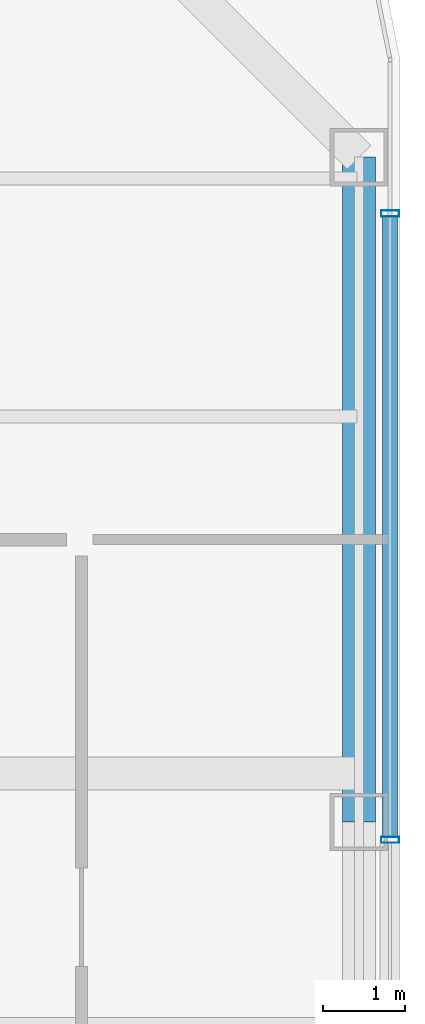
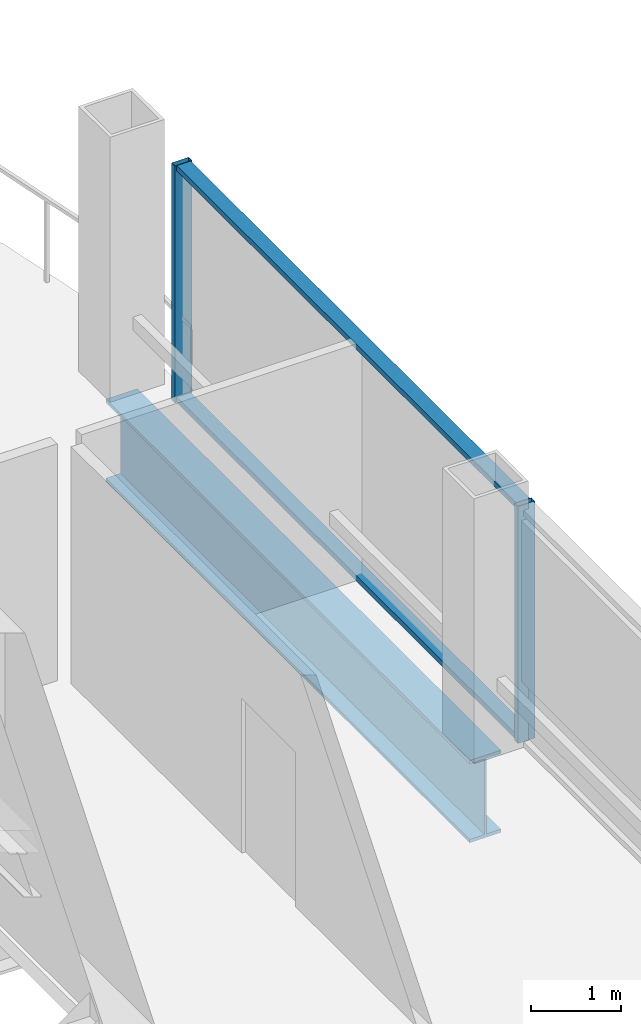
# One storey, part 10 of 19: 4 members, 1 beam, 1 element without a shape of its own.
"""IFC4 building model written with IfcOpenShell, lengths in metres."""

from ifc_helpers import new_model, si_unit, direction, frame, origin, origin_2d, place, context, subcontext, project, spatial, hollow_rectangle, i_section, extrude, material, layer, layer_set, material_profile, profile_set, type_object, element, aggregate, save


model = new_model("IFC4")

# Units and contexts
model_context = context("Model", 3, precision=1e-05, world=origin(), true_north=direction((0.0, 1.0)))
body_context = subcontext(model_context, "Body", "Model", "MODEL_VIEW")
ifc_project = project(units=[si_unit("LENGTHUNIT", "METRE"), si_unit("AREAUNIT", "SQUARE_METRE"), si_unit("VOLUMEUNIT", "CUBIC_METRE"), si_unit("PLANEANGLEUNIT", "RADIAN"), si_unit("MASSUNIT", "GRAM", prefix="KILO")], contexts=[model_context])

# Site, building, storey
site_placement = place(None, origin())
site = spatial("IfcSite", under=ifc_project, at=site_placement, CompositionType="ELEMENT")
building_placement = place(site_placement, origin())
building = spatial("IfcBuilding", under=site, at=building_placement, Name="Qhalaya Broadcast Tower", CompositionType="ELEMENT")
storey_placement = place(building_placement, frame((0.0, 0.0, 148.199951171875)))
storey = spatial("IfcBuildingStorey", under=building, at=storey_placement, Name="L43", CompositionType="ELEMENT", Elevation=148.199951171875)

# Beam
ifc_material_1 = material(Name="Structural Steel ASTM A992 Grade 50", Category="steel")
ifc_material_profile_1 = material_profile(ifc_material_1, i_section(OverallWidth=0.404052734375, OverallDepth=1.117919921875, WebThickness=0.026123046875, FlangeThickness=0.044921875, at=origin_2d()), Name="W44X335")
ifc_profile_set_1 = profile_set([ifc_material_profile_1], Name="Structural Steel ASTM A992 Grade 50")
beam_type = type_object("IfcBeamType", Name="Podium Long-Span Primary Girder PG1", PredefinedType="USERDEFINED", material=ifc_profile_set_1)
beam_placement = place(storey_placement, frame((15.580078125, 9.360107421875, -0.779052734375), z_axis=(0.0, 1.0, 0.0), x_axis=(-1.0, 0.0, 0.0)))
element("IfcBeam", 1, at=beam_placement, inside=storey, type_object=beam_type, Name="L43 PG1 L43-SPR-07", ObjectType="GIRDER", PredefinedType="USERDEFINED", context=body_context, shape_type="SweptSolid", body=[
    extrude(i_section(OverallWidth=0.404052734375, OverallDepth=1.117919921875, WebThickness=0.026123046875, FlangeThickness=0.044921875, at=origin_2d()), origin(), (0.0, 0.0, 1.0), 8.099853515625),
])

# Curtain wall, members
ifc_material_2 = material(Name="Solar-Control Low-E Triple Glazing", Category="glass")
ifc_layer = layer(ifc_material_2, 0.219970703125, Name="Solar-Control Low-E Triple Glazing")
ifc_layer_set = layer_set([ifc_layer], Name="Solar-Control Low-E Triple Glazing")
curtain_wall_type = type_object("IfcCurtainWallType", Name="Recessed Sky-Garden Neck Ribbon Curtain Wall CW-05", PredefinedType="NOTDEFINED", material=ifc_layer_set)
curtain_wall_placement = place(storey_placement, origin())
curtain_wall = element("IfcCurtainWall", 2, at=curtain_wall_placement, inside=storey, type_object=curtain_wall_type, Name="L43 Unitised Curtain Wall L43-CW-E", PredefinedType="NOTDEFINED")
ifc_material_3 = material(Name="Anodised Aluminium 6063-T6", Category="aluminium")
ifc_material_profile_2 = material_profile(ifc_material_3, hollow_rectangle(XDim=0.074951171875, YDim=0.219970703125, WallThickness=0.00390625, at=origin_2d()), Name="ALU-MUL 75x220x4")
ifc_profile_set_2 = profile_set([ifc_material_profile_2], Name="Anodised Aluminium 6063-T6")
member_type_1 = type_object("IfcMemberType", Name="Unitised Curtain-Wall Mullion M01", PredefinedType="MULLION", material=ifc_profile_set_2)
member_1_placement = place(storey_placement, frame((15.9599609375, 9.143310546875, 0.0), z_axis=(0.0, 0.0, 1.0), x_axis=(0.0, 1.0, 0.0)))
member_1 = element("IfcMember", 3, at=member_1_placement, type_object=member_type_1, Name="CW-05 mullion 3", PredefinedType="MULLION", context=body_context, shape_type="SweptSolid", body=[
    extrude(hollow_rectangle(XDim=0.074951171875, YDim=0.219970703125, WallThickness=0.00390625, at=origin_2d()), origin(), (0.0, 0.0, 1.0), 3.219970703125),
])
member_2_placement = place(storey_placement, frame((15.9599609375, 16.7724609375, 0.0), z_axis=(0.0, 0.0, 1.0), x_axis=(0.0, 1.0, 0.0)))
member_2 = element("IfcMember", 4, at=member_2_placement, type_object=member_type_1, Name="CW-05 mullion 4", PredefinedType="MULLION", context=body_context, shape_type="SweptSolid", body=[
    extrude(hollow_rectangle(XDim=0.074951171875, YDim=0.219970703125, WallThickness=0.00390625, at=origin_2d()), origin(), (0.0, 0.0, 1.0), 3.219970703125),
])
ifc_material_profile_3 = material_profile(ifc_material_3, hollow_rectangle(XDim=0.074951171875, YDim=0.179931640625, WallThickness=0.00390625, at=origin_2d()), Name="ALU-TRN 75x180x4")
ifc_profile_set_3 = profile_set([ifc_material_profile_3], Name="Anodised Aluminium 6063-T6")
member_type_2 = type_object("IfcMemberType", Name="Unitised Curtain-Wall Transom T01", PredefinedType="USERDEFINED", material=ifc_profile_set_3)
member_3_placement = place(storey_placement, frame((15.9599609375, 9.180908203125, 0.03759765625), z_axis=(0.0, 1.0, 0.0), x_axis=(0.0, 0.0, 1.0)))
member_3 = element("IfcMember", 5, at=member_3_placement, type_object=member_type_2, Name="CW-05 transom 3.1", ObjectType="TRANSOM", PredefinedType="USERDEFINED", context=body_context, shape_type="SweptSolid", body=[
    extrude(hollow_rectangle(XDim=0.074951171875, YDim=0.179931640625, WallThickness=0.00390625, at=origin_2d()), origin(), (0.0, 0.0, 1.0), 7.55419921875),
])
member_4_placement = place(storey_placement, frame((15.9599609375, 9.180908203125, 3.1826171875), z_axis=(0.0, 1.0, 0.0), x_axis=(0.0, 0.0, 1.0)))
member_4 = element("IfcMember", 6, at=member_4_placement, type_object=member_type_2, Name="CW-05 transom 3.2", ObjectType="TRANSOM", PredefinedType="USERDEFINED", context=body_context, shape_type="SweptSolid", body=[
    extrude(hollow_rectangle(XDim=0.074951171875, YDim=0.179931640625, WallThickness=0.00390625, at=origin_2d()), origin(), (0.0, 0.0, 1.0), 7.55419921875),
])
aggregate(curtain_wall, [member_1, member_2, member_3, member_4])

save(model, "model.ifc")
